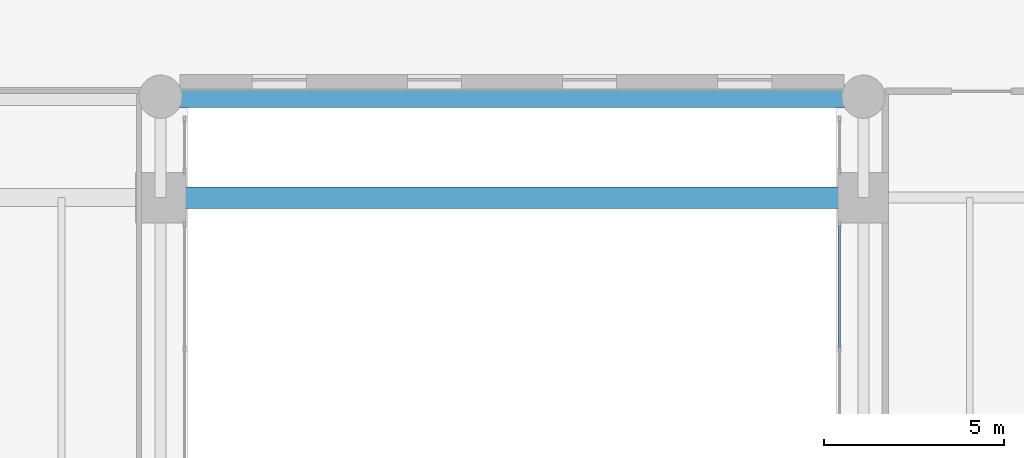
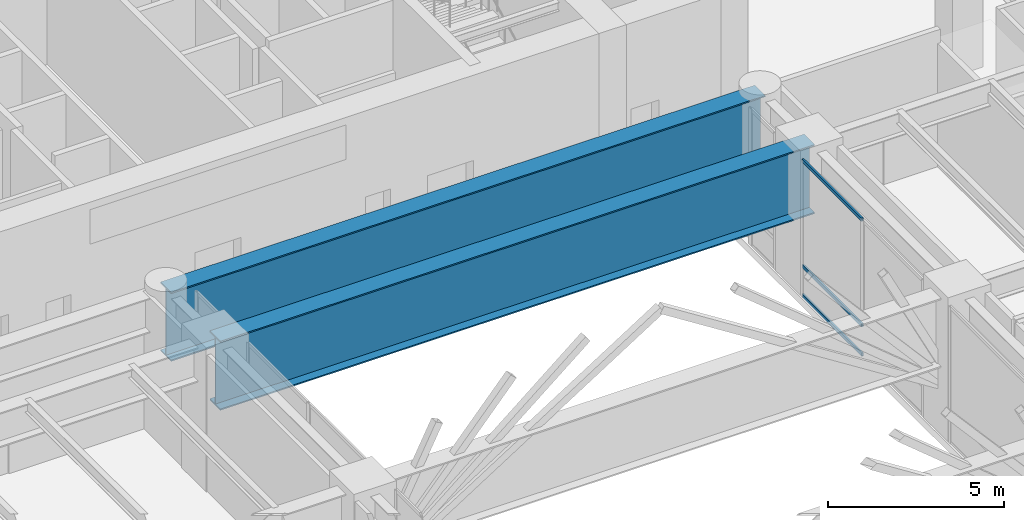
# One storey, part 21 of 39: 3 members, 2 beams, 1 element without a shape of its own.
"""IFC4 building model written with IfcOpenShell, lengths in metres."""

from ifc_helpers import new_model, si_unit, direction, frame, origin, origin_2d, place, context, subcontext, project, spatial, hollow_rectangle, i_section, extrude, source, transform, mapped, material, layer, layer_set, material_profile, profile_set, type_object, type_shapes, element, aggregate, save


model = new_model("IFC4")

# Units and contexts
model_context = context("Model", 3, precision=1e-05, world=origin(), true_north=direction((0.0, 1.0)))
body_context = subcontext(model_context, "Body", "Model", "MODEL_VIEW")
ifc_project = project(units=[si_unit("LENGTHUNIT", "METRE"), si_unit("AREAUNIT", "SQUARE_METRE"), si_unit("VOLUMEUNIT", "CUBIC_METRE"), si_unit("PLANEANGLEUNIT", "RADIAN"), si_unit("MASSUNIT", "GRAM", prefix="KILO")], contexts=[model_context])

# Site, building, storey
site_placement = place(None, origin())
site = spatial("IfcSite", under=ifc_project, at=site_placement, CompositionType="ELEMENT")
building_placement = place(site_placement, origin())
building = spatial("IfcBuilding", under=site, at=building_placement, Name="Tolvann Quenvar Hotel", CompositionType="ELEMENT")
storey_placement = place(building_placement, frame((0.0, 0.0, 11.0)))
storey = spatial("IfcBuildingStorey", under=building, at=storey_placement, Name="L02", CompositionType="ELEMENT", Elevation=11.0)

# Beams
ifc_material_1 = material(Name="Steel Grade 350", Category="steel")
ifc_material_profile_1 = material_profile(ifc_material_1, i_section(OverallWidth=0.60009765625, OverallDepth=2.39990234375, WebThickness=0.02001953125, FlangeThickness=0.044921875, at=origin_2d()), Name="2400WB655")
ifc_profile_set_1 = profile_set([ifc_material_profile_1], Name="Steel Grade 350")
beam_type = type_object("IfcBeamType", Name="BM_TG_2400WB655", PredefinedType="USERDEFINED", material=ifc_profile_set_1)
shared_shape_1 = source(origin(), body_context, "Body", "SweptSolid", [
    extrude(i_section(OverallWidth=0.60009765625, OverallDepth=2.39990234375, WebThickness=0.02001953125, FlangeThickness=0.044921875, at=origin_2d()), origin(), (0.0, 0.0, 1.0), 19.5),
])
type_shapes(beam_type, [shared_shape_1])
for number, where, z_axis, x_axis, name in (
    (1, (18.75, 24.39990234375, 3.5400390625), (1.0, 0.0, 0.0), (0.0, 1.0, 0.0), "BM-L02-ATIE-4"),
    (2, (18.75, 27.199951171875, 3.5400390625), (1.0, 0.0, 0.0), (0.0, 1.0, 0.0), "BM-L02-ATIE-5"),
):
    element("IfcBeam", number, at=place(storey_placement, frame(where, z_axis=z_axis, x_axis=x_axis)), inside=storey, type_object=beam_type, Name=name, ObjectType="TRANSFER GIRDER", PredefinedType="USERDEFINED", context=body_context, shape_type="MappedRepresentation", body=[
        mapped(shared_shape_1, transform((0.0, 0.0, 0.0), x_axis=(1.0, 0.0, 0.0), y_axis=(0.0, 1.0, 0.0), z_axis=(0.0, 0.0, 1.0), scale=1.0)),
    ])

# Curtain wall, members
ifc_material_2 = material(Name="Thermally broken anodised architectural aluminium 6063-T6 and laminated low-E glass", Category="aluminium")
ifc_layer = layer(ifc_material_2, 0.179931640625)
ifc_layer_set = layer_set([ifc_layer], Name="Thermally broken anodised architectural aluminium 6063-T6 and laminated low-E glass")
curtain_wall_type = type_object("IfcCurtainWallType", Name="CW_SYS_ARCH_01", PredefinedType="USERDEFINED", material=ifc_layer_set)
curtain_wall_placement = place(storey_placement, origin())
curtain_wall = element("IfcCurtainWall", 3, at=curtain_wall_placement, inside=storey, type_object=curtain_wall_type, Name="Curtain Wall CW-ARCH-01 (CWR-L02-E03-S2)", ObjectType="UNITISED CURTAIN WALL", PredefinedType="USERDEFINED")
ifc_material_3 = material(Name="Anodised architectural aluminium 6063-T6 framing", Category="aluminium")
ifc_material_profile_2 = material_profile(ifc_material_3, hollow_rectangle(XDim=0.06005859375, YDim=0.1201171875, WallThickness=0.00341796875, at=origin_2d()), Name="120x60x3.5RHS")
ifc_profile_set_2 = profile_set([ifc_material_profile_2], Name="Anodised architectural aluminium 6063-T6 framing")
member_type = type_object("IfcMemberType", Name="CW_TRAN_120x60", PredefinedType="USERDEFINED", material=ifc_profile_set_2)
shared_shape_2 = source(origin(), body_context, "Body", "SweptSolid", [
    extrude(hollow_rectangle(XDim=0.06005859375, YDim=0.1201171875, WallThickness=0.00341796875, at=origin_2d()), origin(), (0.0, 0.0, 1.0), 3.390869140625),
])
type_shapes(member_type, [shared_shape_2])
member_1_placement = place(storey_placement, frame((37.590087890625, 23.6259765625, 0.030029296875), z_axis=(0.0, -1.0, 0.0), x_axis=(1.0, 0.0, 0.0)))
member_1 = element("IfcMember", 4, at=member_1_placement, type_object=member_type, Name="CW-ARCH-01 transom 1.1", ObjectType="TRANSOM", PredefinedType="USERDEFINED", context=body_context, shape_type="MappedRepresentation", body=[
    mapped(shared_shape_2, transform((0.0, 0.0, 0.0), x_axis=(1.0, 0.0, 0.0), y_axis=(0.0, 1.0, 0.0), z_axis=(0.0, 0.0, 1.0), scale=1.0)),
])
member_2_placement = place(storey_placement, frame((37.590087890625, 23.6259765625, 1.050048828125), z_axis=(0.0, -1.0, 0.0), x_axis=(1.0, 0.0, 0.0)))
member_2 = element("IfcMember", 5, at=member_2_placement, type_object=member_type, Name="CW-ARCH-01 transom 1.2", ObjectType="TRANSOM", PredefinedType="USERDEFINED", context=body_context, shape_type="MappedRepresentation", body=[
    mapped(shared_shape_2, transform((0.0, 0.0, 0.0), x_axis=(1.0, 0.0, 0.0), y_axis=(0.0, 1.0, 0.0), z_axis=(0.0, 0.0, 1.0), scale=1.0)),
])
member_3_placement = place(storey_placement, frame((37.590087890625, 23.6259765625, 4.7099609375), z_axis=(0.0, -1.0, 0.0), x_axis=(1.0, 0.0, 0.0)))
member_3 = element("IfcMember", 6, at=member_3_placement, type_object=member_type, Name="CW-ARCH-01 transom 1.3", ObjectType="TRANSOM", PredefinedType="USERDEFINED", context=body_context, shape_type="MappedRepresentation", body=[
    mapped(shared_shape_2, transform((0.0, 0.0, 0.0), x_axis=(1.0, 0.0, 0.0), y_axis=(0.0, 1.0, 0.0), z_axis=(0.0, 0.0, 1.0), scale=1.0)),
])
aggregate(curtain_wall, [member_1, member_2, member_3])

save(model, "model.ifc")
